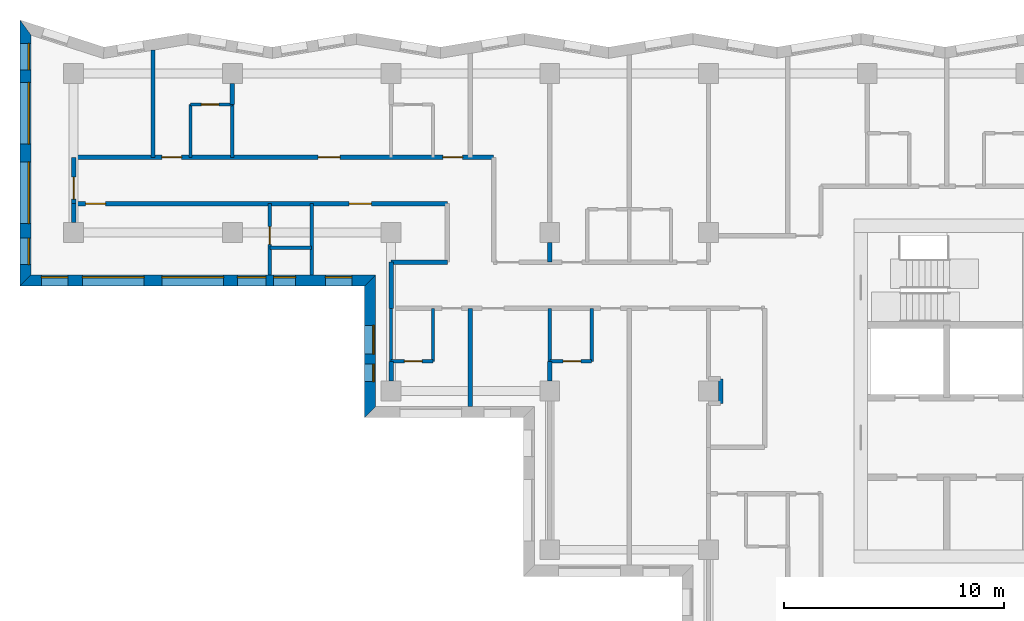
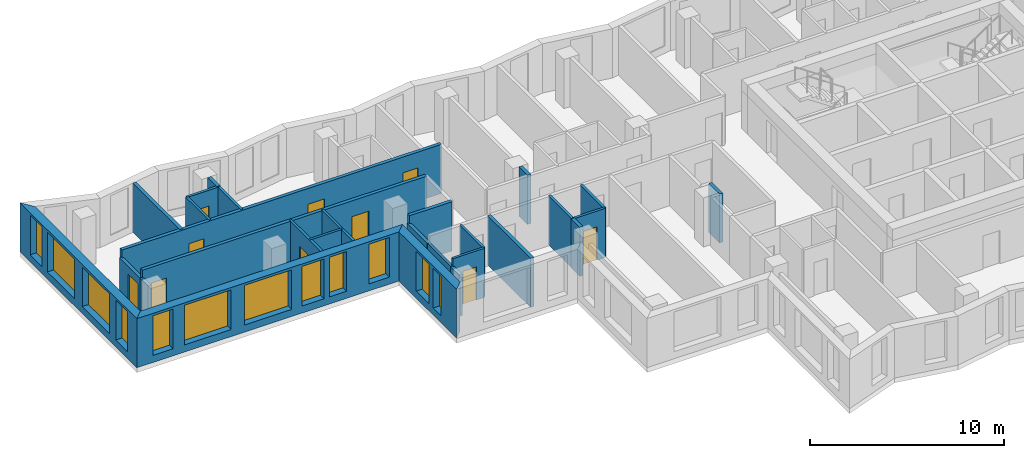
# One storey, part 4 of 13: 28 walls, 12 windows, 10 doors, 22 openings.
"""IFC4 building model written with IfcOpenShell, lengths in metres."""

from ifc_helpers import new_model, si_unit, direction, frame, frame_2d, origin, place, context, subcontext, project, spatial, polyline, rectangle, outline, extrude, material, layer, layer_set, type_object, element, fill, save


model = new_model("IFC4")

# Units and contexts
model_context = context("Model", 3, precision=1e-05, world=origin(), true_north=direction((0.0, 1.0)))
body_context = subcontext(model_context, "Body", "Model", "MODEL_VIEW")
ifc_project = project(units=[si_unit("LENGTHUNIT", "METRE"), si_unit("AREAUNIT", "SQUARE_METRE"), si_unit("VOLUMEUNIT", "CUBIC_METRE"), si_unit("PLANEANGLEUNIT", "RADIAN"), si_unit("MASSUNIT", "GRAM", prefix="KILO")], contexts=[model_context])

# Site, building, storey
site_placement = place(None, origin())
site = spatial("IfcSite", under=ifc_project, at=site_placement, CompositionType="ELEMENT")
building_placement = place(site_placement, origin())
building = spatial("IfcBuilding", under=site, at=building_placement, Name="Windrow Commons", CompositionType="ELEMENT")
storey_placement = place(building_placement, frame((0.0, 0.0, 172.8)))
storey = spatial("IfcBuildingStorey", under=building, at=storey_placement, Name="L47", CompositionType="ELEMENT", Elevation=172.8)

# Wall, openings, windows
ifc_material_1 = material(Name="Brick masonry, red clay brick", Category="masonry")
ifc_layer_1 = layer(ifc_material_1, 0.5)
ifc_layer_set_1 = layer_set([ifc_layer_1], Name="Brick facade wall 500")
wall_type_1 = type_object("IfcWallType", Name="Brick facade wall 500", PredefinedType="SOLIDWALL", material=ifc_layer_set_1)
wall_1_placement = place(storey_placement, frame((19.417, 74.0895, 0.0), z_axis=(0.0, 0.0, 1.0), x_axis=(0.0, -1.0, 0.0)))
wall_1 = element("IfcWall", 1, at=wall_1_placement, inside=storey, type_object=wall_type_1, Name="Brick facade wall L47 35", PredefinedType="SOLIDWALL", context=body_context, shape_type="SweptSolid", body=[
    extrude(outline(polyline([(-0.3435, -0.25), (11.7225, -0.25), (11.2225, 0.25), (0.3435, 0.25), (-0.3435, -0.25)])), origin(), (0.0, 0.0, 1.0), 3.1),
])
opening_1_placement = place(wall_1_placement, frame((2.4895, 0.0, 0.45)))
opening_1 = element("IfcOpeningElement", 2, at=opening_1_placement, cuts=wall_1, Name="Opening W1U", PredefinedType="OPENING", context=body_context, shape_type="SweptSolid", body=[
    extrude(rectangle(XDim=2.8, YDim=2.5, at=frame_2d((1.4, 1.25))), frame((0.0, 0.26, 0.0), z_axis=(0.0, -1.0, 0.0), x_axis=(1.0, 0.0, 0.0)), (0.0, 0.0, 1.0), 0.52),
])
opening_2_placement = place(wall_1_placement, frame((6.0895, 0.0, 0.45)))
opening_2 = element("IfcOpeningElement", 3, at=opening_2_placement, cuts=wall_1, Name="Opening W1U", PredefinedType="OPENING", context=body_context, shape_type="SweptSolid", body=[
    extrude(rectangle(XDim=2.8, YDim=2.5, at=frame_2d((1.4, 1.25))), frame((0.0, 0.26, 0.0), z_axis=(0.0, -1.0, 0.0), x_axis=(1.0, 0.0, 0.0)), (0.0, 0.0, 1.0), 0.52),
])
opening_3_placement = place(wall_1_placement, frame((0.7165, 0.0, 0.45)))
opening_3 = element("IfcOpeningElement", 4, at=opening_3_placement, cuts=wall_1, Name="Opening W7E", PredefinedType="OPENING", context=body_context, shape_type="SweptSolid", body=[
    extrude(rectangle(XDim=1.2, YDim=2.5, at=frame_2d((0.6, 1.25))), frame((0.0, 0.26, 0.0), z_axis=(0.0, -1.0, 0.0), x_axis=(1.0, 0.0, 0.0)), (0.0, 0.0, 1.0), 0.52),
])
opening_4_placement = place(wall_1_placement, frame((9.556, 0.0, 0.45)))
opening_4 = element("IfcOpeningElement", 5, at=opening_4_placement, cuts=wall_1, Name="Opening W7E", PredefinedType="OPENING", context=body_context, shape_type="SweptSolid", body=[
    extrude(rectangle(XDim=1.2, YDim=2.5, at=frame_2d((0.6, 1.25))), frame((0.0, 0.26, 0.0), z_axis=(0.0, -1.0, 0.0), x_axis=(1.0, 0.0, 0.0)), (0.0, 0.0, 1.0), 0.52),
])
ifc_material_2 = material(Name="Clear float glass in anodised aluminium frame", Category="aluminium")
window_type_1 = type_object("IfcWindowType", Name="Window W1U bedroom 2800x2500", PartitioningType="SINGLE_PANEL", PredefinedType="WINDOW", material=ifc_material_2)
window_1_placement = place(opening_1_placement, origin())
window_1 = element("IfcWindow", 6, at=window_1_placement, inside=storey, type_object=window_type_1, Name="Window L47 35.1", OverallHeight=2.5, OverallWidth=2.8, PartitioningType="SINGLE_PANEL", PredefinedType="WINDOW", context=body_context, shape_type="SweptSolid", body=[
    extrude(rectangle(XDim=2.8, YDim=2.5, at=frame_2d((1.4, 1.25))), frame((0.0, 0.18, 0.0), z_axis=(0.0, -1.0, 0.0), x_axis=(1.0, 0.0, 0.0)), (0.0, 0.0, 1.0), 0.06),
])
fill(opening_1, window_1)
window_2_placement = place(opening_2_placement, origin())
window_2 = element("IfcWindow", 7, at=window_2_placement, inside=storey, type_object=window_type_1, Name="Window L47 35.2", OverallHeight=2.5, OverallWidth=2.8, PartitioningType="SINGLE_PANEL", PredefinedType="WINDOW", context=body_context, shape_type="SweptSolid", body=[
    extrude(rectangle(XDim=2.8, YDim=2.5, at=frame_2d((1.4, 1.25))), frame((0.0, 0.18, 0.0), z_axis=(0.0, -1.0, 0.0), x_axis=(1.0, 0.0, 0.0)), (0.0, 0.0, 1.0), 0.06),
])
fill(opening_2, window_2)
ifc_material_3 = material(Name="Clear float glass in anodised aluminium frame", Category="aluminium")
window_type_2 = type_object("IfcWindowType", Name="Window W7 notch 1200x2500", PartitioningType="SINGLE_PANEL", PredefinedType="WINDOW", material=ifc_material_3)
window_3_placement = place(opening_3_placement, origin())
window_3 = element("IfcWindow", 8, at=window_3_placement, inside=storey, type_object=window_type_2, Name="Window L47 35.3", OverallHeight=2.5, OverallWidth=1.2, PartitioningType="SINGLE_PANEL", PredefinedType="WINDOW", context=body_context, shape_type="SweptSolid", body=[
    extrude(rectangle(XDim=1.2, YDim=2.5, at=frame_2d((0.6, 1.25))), frame((0.0, 0.18, 0.0), z_axis=(0.0, -1.0, 0.0), x_axis=(1.0, 0.0, 0.0)), (0.0, 0.0, 1.0), 0.06),
])
fill(opening_3, window_3)
window_4_placement = place(opening_4_placement, origin())
window_4 = element("IfcWindow", 9, at=window_4_placement, inside=storey, type_object=window_type_2, Name="Window L47 35.4", OverallHeight=2.5, OverallWidth=1.2, PartitioningType="SINGLE_PANEL", PredefinedType="WINDOW", context=body_context, shape_type="SweptSolid", body=[
    extrude(rectangle(XDim=1.2, YDim=2.5, at=frame_2d((0.6, 1.25))), frame((0.0, 0.18, 0.0), z_axis=(0.0, -1.0, 0.0), x_axis=(1.0, 0.0, 0.0)), (0.0, 0.0, 1.0), 0.06),
])
fill(opening_4, window_4)

wall_2_placement = place(storey_placement, frame((19.417, 62.617, 0.0), z_axis=(0.0, 0.0, 1.0), x_axis=(1.0, 0.0, 0.0)))
wall_2 = element("IfcWall", 10, at=wall_2_placement, inside=storey, type_object=wall_type_1, Name="Brick facade wall L47 36", PredefinedType="SOLIDWALL", context=body_context, shape_type="SweptSolid", body=[
    extrude(outline(polyline([(-0.25, -0.25), (15.383, -0.25), (15.883, 0.25), (0.25, 0.25), (-0.25, -0.25)])), origin(), (0.0, 0.0, 1.0), 3.1),
])
opening_5_placement = place(wall_2_placement, frame((2.583, 0.0, 0.45)))
opening_5 = element("IfcOpeningElement", 11, at=opening_5_placement, cuts=wall_2, Name="Opening W1U", PredefinedType="OPENING", context=body_context, shape_type="SweptSolid", body=[
    extrude(rectangle(XDim=2.8, YDim=2.5, at=frame_2d((1.4, 1.25))), frame((0.0, 0.26, 0.0), z_axis=(0.0, -1.0, 0.0), x_axis=(1.0, 0.0, 0.0)), (0.0, 0.0, 1.0), 0.52),
])
opening_6_placement = place(wall_2_placement, frame((6.183, 0.0, 0.45)))
opening_6 = element("IfcOpeningElement", 12, at=opening_6_placement, cuts=wall_2, Name="Opening W1U", PredefinedType="OPENING", context=body_context, shape_type="SweptSolid", body=[
    extrude(rectangle(XDim=2.8, YDim=2.5, at=frame_2d((1.4, 1.25))), frame((0.0, 0.26, 0.0), z_axis=(0.0, -1.0, 0.0), x_axis=(1.0, 0.0, 0.0)), (0.0, 0.0, 1.0), 0.52),
])
opening_7_placement = place(wall_2_placement, frame((0.7165, 0.0, 0.45)))
opening_7 = element("IfcOpeningElement", 13, at=opening_7_placement, cuts=wall_2, Name="Opening W7E", PredefinedType="OPENING", context=body_context, shape_type="SweptSolid", body=[
    extrude(rectangle(XDim=1.2, YDim=2.5, at=frame_2d((0.6, 1.25))), frame((0.0, 0.26, 0.0), z_axis=(0.0, -1.0, 0.0), x_axis=(1.0, 0.0, 0.0)), (0.0, 0.0, 1.0), 0.52),
])
opening_8_placement = place(wall_2_placement, frame((13.608, 0.0, 0.45)))
opening_8 = element("IfcOpeningElement", 14, at=opening_8_placement, cuts=wall_2, Name="Opening W7E", PredefinedType="OPENING", context=body_context, shape_type="SweptSolid", body=[
    extrude(rectangle(XDim=1.2, YDim=2.5, at=frame_2d((0.6, 1.25))), frame((0.0, 0.26, 0.0), z_axis=(0.0, -1.0, 0.0), x_axis=(1.0, 0.0, 0.0)), (0.0, 0.0, 1.0), 0.52),
])
opening_9_placement = place(wall_2_placement, frame((9.608, 0.0, 0.45)))
opening_9 = element("IfcOpeningElement", 15, at=opening_9_placement, cuts=wall_2, Name="Opening W1Q", PredefinedType="OPENING", context=body_context, shape_type="SweptSolid", body=[
    extrude(rectangle(XDim=1.3, YDim=2.5, at=frame_2d((0.65, 1.25))), frame((0.0, 0.26, 0.0), z_axis=(0.0, -1.0, 0.0), x_axis=(1.0, 0.0, 0.0)), (0.0, 0.0, 1.0), 0.52),
])
opening_10_placement = place(wall_2_placement, frame((11.258, 0.0, 0.45)))
opening_10 = element("IfcOpeningElement", 16, at=opening_10_placement, cuts=wall_2, Name="Opening W1S", PredefinedType="OPENING", context=body_context, shape_type="SweptSolid", body=[
    extrude(rectangle(XDim=1.0, YDim=2.5, at=frame_2d((0.5, 1.25))), frame((0.0, 0.26, 0.0), z_axis=(0.0, -1.0, 0.0), x_axis=(1.0, 0.0, 0.0)), (0.0, 0.0, 1.0), 0.52),
])
ifc_material_4 = material(Name="Clear float glass in anodised aluminium frame", Category="aluminium")
window_type_3 = type_object("IfcWindowType", Name="Window W1Q pair 1300x2500", PartitioningType="SINGLE_PANEL", PredefinedType="WINDOW", material=ifc_material_4)
window_5_placement = place(opening_9_placement, origin())
window_5 = element("IfcWindow", 17, at=window_5_placement, inside=storey, type_object=window_type_3, Name="Window L47 36.3A", OverallHeight=2.5, OverallWidth=1.3, PartitioningType="SINGLE_PANEL", PredefinedType="WINDOW", context=body_context, shape_type="SweptSolid", body=[
    extrude(rectangle(XDim=1.3, YDim=2.5, at=frame_2d((0.65, 1.25))), frame((0.0, 0.18, 0.0), z_axis=(0.0, -1.0, 0.0), x_axis=(1.0, 0.0, 0.0)), (0.0, 0.0, 1.0), 0.06),
])
fill(opening_9, window_5)
ifc_material_5 = material(Name="Clear float glass in anodised aluminium frame", Category="aluminium")
window_type_4 = type_object("IfcWindowType", Name="Window W1S slit 1000x2500", PartitioningType="SINGLE_PANEL", PredefinedType="WINDOW", material=ifc_material_5)
window_6_placement = place(opening_10_placement, origin())
window_6 = element("IfcWindow", 18, at=window_6_placement, inside=storey, type_object=window_type_4, Name="Window L47 36.3B", OverallHeight=2.5, OverallWidth=1.0, PartitioningType="SINGLE_PANEL", PredefinedType="WINDOW", context=body_context, shape_type="SweptSolid", body=[
    extrude(rectangle(XDim=1.0, YDim=2.5, at=frame_2d((0.5, 1.25))), frame((0.0, 0.18, 0.0), z_axis=(0.0, -1.0, 0.0), x_axis=(1.0, 0.0, 0.0)), (0.0, 0.0, 1.0), 0.06),
])
fill(opening_10, window_6)
window_7_placement = place(opening_5_placement, origin())
window_7 = element("IfcWindow", 19, at=window_7_placement, inside=storey, type_object=window_type_1, Name="Window L47 36.1", OverallHeight=2.5, OverallWidth=2.8, PartitioningType="SINGLE_PANEL", PredefinedType="WINDOW", context=body_context, shape_type="SweptSolid", body=[
    extrude(rectangle(XDim=2.8, YDim=2.5, at=frame_2d((1.4, 1.25))), frame((0.0, 0.18, 0.0), z_axis=(0.0, -1.0, 0.0), x_axis=(1.0, 0.0, 0.0)), (0.0, 0.0, 1.0), 0.06),
])
fill(opening_5, window_7)
window_8_placement = place(opening_6_placement, origin())
window_8 = element("IfcWindow", 20, at=window_8_placement, inside=storey, type_object=window_type_1, Name="Window L47 36.2", OverallHeight=2.5, OverallWidth=2.8, PartitioningType="SINGLE_PANEL", PredefinedType="WINDOW", context=body_context, shape_type="SweptSolid", body=[
    extrude(rectangle(XDim=2.8, YDim=2.5, at=frame_2d((1.4, 1.25))), frame((0.0, 0.18, 0.0), z_axis=(0.0, -1.0, 0.0), x_axis=(1.0, 0.0, 0.0)), (0.0, 0.0, 1.0), 0.06),
])
fill(opening_6, window_8)
window_9_placement = place(opening_7_placement, origin())
window_9 = element("IfcWindow", 21, at=window_9_placement, inside=storey, type_object=window_type_2, Name="Window L47 36.4", OverallHeight=2.5, OverallWidth=1.2, PartitioningType="SINGLE_PANEL", PredefinedType="WINDOW", context=body_context, shape_type="SweptSolid", body=[
    extrude(rectangle(XDim=1.2, YDim=2.5, at=frame_2d((0.6, 1.25))), frame((0.0, 0.18, 0.0), z_axis=(0.0, -1.0, 0.0), x_axis=(1.0, 0.0, 0.0)), (0.0, 0.0, 1.0), 0.06),
])
fill(opening_7, window_9)
window_10_placement = place(opening_8_placement, origin())
window_10 = element("IfcWindow", 22, at=window_10_placement, inside=storey, type_object=window_type_2, Name="Window L47 36.5", OverallHeight=2.5, OverallWidth=1.2, PartitioningType="SINGLE_PANEL", PredefinedType="WINDOW", context=body_context, shape_type="SweptSolid", body=[
    extrude(rectangle(XDim=1.2, YDim=2.5, at=frame_2d((0.6, 1.25))), frame((0.0, 0.18, 0.0), z_axis=(0.0, -1.0, 0.0), x_axis=(1.0, 0.0, 0.0)), (0.0, 0.0, 1.0), 0.06),
])
fill(opening_8, window_10)

wall_3_placement = place(storey_placement, frame((35.05, 62.617, 0.0), z_axis=(0.0, 0.0, 1.0), x_axis=(0.0, -1.0, 0.0)))
wall_3 = element("IfcWall", 23, at=wall_3_placement, inside=storey, type_object=wall_type_1, Name="Brick facade wall L47 37", PredefinedType="SOLIDWALL", context=body_context, shape_type="SweptSolid", body=[
    extrude(outline(polyline([(0.25, -0.25), (6.217, -0.25), (5.717, 0.25), (-0.25, 0.25), (0.25, -0.25)])), origin(), (0.0, 0.0, 1.0), 3.1),
])
opening_11_placement = place(wall_3_placement, frame((2.042, 0.0, 0.45)))
opening_11 = element("IfcOpeningElement", 24, at=opening_11_placement, cuts=wall_3, Name="Opening W1Q", PredefinedType="OPENING", context=body_context, shape_type="SweptSolid", body=[
    extrude(rectangle(XDim=1.3, YDim=2.5, at=frame_2d((0.65, 1.25))), frame((0.0, 0.26, 0.0), z_axis=(0.0, -1.0, 0.0), x_axis=(1.0, 0.0, 0.0)), (0.0, 0.0, 1.0), 0.52),
])
opening_12_placement = place(wall_3_placement, frame((3.792, 0.0, 0.45)))
opening_12 = element("IfcOpeningElement", 25, at=opening_12_placement, cuts=wall_3, Name="Opening W1N", PredefinedType="OPENING", context=body_context, shape_type="SweptSolid", body=[
    extrude(rectangle(XDim=0.8, YDim=2.5, at=frame_2d((0.4, 1.25))), frame((0.0, 0.26, 0.0), z_axis=(0.0, -1.0, 0.0), x_axis=(1.0, 0.0, 0.0)), (0.0, 0.0, 1.0), 0.52),
])
ifc_material_6 = material(Name="Clear float glass in anodised aluminium frame", Category="aluminium")
window_type_5 = type_object("IfcWindowType", Name="Window W1N slit 800x2500", PartitioningType="SINGLE_PANEL", PredefinedType="WINDOW", material=ifc_material_6)
window_11_placement = place(opening_12_placement, origin())
window_11 = element("IfcWindow", 26, at=window_11_placement, inside=storey, type_object=window_type_5, Name="Window L47 37.1B", OverallHeight=2.5, OverallWidth=0.8, PartitioningType="SINGLE_PANEL", PredefinedType="WINDOW", context=body_context, shape_type="SweptSolid", body=[
    extrude(rectangle(XDim=0.8, YDim=2.5, at=frame_2d((0.4, 1.25))), frame((0.0, 0.18, 0.0), z_axis=(0.0, -1.0, 0.0), x_axis=(1.0, 0.0, 0.0)), (0.0, 0.0, 1.0), 0.06),
])
fill(opening_12, window_11)
window_12_placement = place(opening_11_placement, origin())
window_12 = element("IfcWindow", 27, at=window_12_placement, inside=storey, type_object=window_type_3, Name="Window L47 37.1A", OverallHeight=2.5, OverallWidth=1.3, PartitioningType="SINGLE_PANEL", PredefinedType="WINDOW", context=body_context, shape_type="SweptSolid", body=[
    extrude(rectangle(XDim=1.3, YDim=2.5, at=frame_2d((0.65, 1.25))), frame((0.0, 0.18, 0.0), z_axis=(0.0, -1.0, 0.0), x_axis=(1.0, 0.0, 0.0)), (0.0, 0.0, 1.0), 0.06),
])
fill(opening_11, window_12)

# Wall, openings, doors
ifc_material_7 = material(Name="Blockwork partition", Category="masonry")
ifc_layer_2 = layer(ifc_material_7, 0.2)
ifc_layer_set_2 = layer_set([ifc_layer_2], Name="IW-CORRIDOR-200")
wall_type_2 = type_object("IfcWallType", Name="IW-CORRIDOR-200", PredefinedType="PARTITIONING", material=ifc_layer_set_2)
wall_4_placement = place(storey_placement, frame((21.602, 68.2, 0.0), z_axis=(0.0, 0.0, 1.0), x_axis=(1.0, 0.0, 0.0)))
wall_4 = element("IfcWall", 28, at=wall_4_placement, inside=storey, type_object=wall_type_2, Name="W-L47-W000", PredefinedType="PARTITIONING", context=body_context, shape_type="SweptSolid", body=[
    extrude(rectangle(XDim=19.048, YDim=0.2, at=frame_2d((9.524, 0.0))), origin(), (0.0, 0.0, 1.0), 3.1),
])
opening_13_placement = place(wall_4_placement, frame((3.998, 0.0, 0.0)))
opening_13 = element("IfcOpeningElement", 29, at=opening_13_placement, cuts=wall_4, Name="Opening D109S", PredefinedType="OPENING", context=body_context, shape_type="SweptSolid", body=[
    extrude(rectangle(XDim=0.9, YDim=2.1, at=frame_2d((0.45, 1.05))), frame((0.0, 0.11, 0.0), z_axis=(0.0, -1.0, 0.0), x_axis=(1.0, 0.0, 0.0)), (0.0, 0.0, 1.0), 0.22),
])
opening_14_placement = place(wall_4_placement, frame((11.0842, 0.0, 0.0)))
opening_14 = element("IfcOpeningElement", 30, at=opening_14_placement, cuts=wall_4, Name="Opening D310F", PredefinedType="OPENING", context=body_context, shape_type="SweptSolid", body=[
    extrude(rectangle(XDim=1.0, YDim=2.1, at=frame_2d((0.5, 1.05))), frame((0.0, 0.11, 0.0), z_axis=(0.0, -1.0, 0.0), x_axis=(1.0, 0.0, 0.0)), (0.0, 0.0, 1.0), 0.22),
])
opening_15_placement = place(wall_4_placement, frame((16.748, 0.0, 0.0)))
opening_15 = element("IfcOpeningElement", 31, at=opening_15_placement, cuts=wall_4, Name="Opening D109S", PredefinedType="OPENING", context=body_context, shape_type="SweptSolid", body=[
    extrude(rectangle(XDim=0.9, YDim=2.1, at=frame_2d((0.45, 1.05))), frame((0.0, 0.11, 0.0), z_axis=(0.0, -1.0, 0.0), x_axis=(1.0, 0.0, 0.0)), (0.0, 0.0, 1.0), 0.22),
])
ifc_material_8 = material(Name="Timber door leaf", Category="wood")
door_type_1 = type_object("IfcDoorType", Name="DT-AMENITY-1000", OperationType="SINGLE_SWING_LEFT", PredefinedType="DOOR", material=ifc_material_8)
door_1_placement = place(opening_14_placement, origin())
door_1 = element("IfcDoor", 32, at=door_1_placement, inside=storey, type_object=door_type_1, Name="D-L47-D007", OperationType="SINGLE_SWING_RIGHT", OverallHeight=2.1, OverallWidth=1.0, PredefinedType="DOOR", context=body_context, shape_type="SweptSolid", body=[
    extrude(rectangle(XDim=1.0, YDim=2.1, at=frame_2d((0.5, 1.05))), frame((0.0, 0.025, 0.0), z_axis=(0.0, -1.0, 0.0), x_axis=(1.0, 0.0, 0.0)), (0.0, 0.0, 1.0), 0.05),
])
fill(opening_14, door_1)
ifc_material_9 = material(Name="Timber door leaf", Category="wood")
door_type_2 = type_object("IfcDoorType", Name="DT-BEDROOM-900", OperationType="SINGLE_SWING_LEFT", PredefinedType="DOOR", material=ifc_material_9)
door_2_placement = place(opening_13_placement, origin())
door_2 = element("IfcDoor", 33, at=door_2_placement, inside=storey, type_object=door_type_2, Name="D-L47-D005", OperationType="SINGLE_SWING_LEFT", OverallHeight=2.1, OverallWidth=0.9, PredefinedType="DOOR", context=body_context, shape_type="SweptSolid", body=[
    extrude(rectangle(XDim=0.9, YDim=2.1, at=frame_2d((0.45, 1.05))), frame((0.0, 0.025, 0.0), z_axis=(0.0, -1.0, 0.0), x_axis=(1.0, 0.0, 0.0)), (0.0, 0.0, 1.0), 0.05),
])
fill(opening_13, door_2)
door_3_placement = place(opening_15_placement, origin())
door_3 = element("IfcDoor", 34, at=door_3_placement, inside=storey, type_object=door_type_2, Name="D-L47-D008", OperationType="SINGLE_SWING_RIGHT", OverallHeight=2.1, OverallWidth=0.9, PredefinedType="DOOR", context=body_context, shape_type="SweptSolid", body=[
    extrude(rectangle(XDim=0.9, YDim=2.1, at=frame_2d((0.45, 1.05))), frame((0.0, 0.025, 0.0), z_axis=(0.0, -1.0, 0.0), x_axis=(1.0, 0.0, 0.0)), (0.0, 0.0, 1.0), 0.05),
])
fill(opening_15, door_3)

wall_5_placement = place(storey_placement, frame((21.6, 66.1, 0.0), z_axis=(0.0, 0.0, 1.0), x_axis=(1.0, 0.0, 0.0)))
wall_5 = element("IfcWall", 35, at=wall_5_placement, inside=storey, type_object=wall_type_2, Name="W-L47-W004", PredefinedType="PARTITIONING", context=body_context, shape_type="SweptSolid", body=[
    extrude(rectangle(XDim=16.95, YDim=0.2, at=frame_2d((8.475, 0.0))), origin(), (0.0, 0.0, 1.0), 3.1),
])
opening_16_placement = place(wall_5_placement, frame((0.5458, 0.0, 0.0)))
opening_16 = element("IfcOpeningElement", 36, at=opening_16_placement, cuts=wall_5, Name="Opening D109S", PredefinedType="OPENING", context=body_context, shape_type="SweptSolid", body=[
    extrude(rectangle(XDim=0.9, YDim=2.1, at=frame_2d((0.45, 1.05))), frame((0.0, 0.11, 0.0), z_axis=(0.0, -1.0, 0.0), x_axis=(1.0, 0.0, 0.0)), (0.0, 0.0, 1.0), 0.22),
])
opening_17_placement = place(wall_5_placement, frame((12.5016, 0.0, 0.0)))
opening_17 = element("IfcOpeningElement", 37, at=opening_17_placement, cuts=wall_5, Name="Opening D310F", PredefinedType="OPENING", context=body_context, shape_type="SweptSolid", body=[
    extrude(rectangle(XDim=1.0, YDim=2.1, at=frame_2d((0.5, 1.05))), frame((0.0, 0.11, 0.0), z_axis=(0.0, -1.0, 0.0), x_axis=(1.0, 0.0, 0.0)), (0.0, 0.0, 1.0), 0.22),
])
door_4_placement = place(opening_17_placement, origin())
door_4 = element("IfcDoor", 38, at=door_4_placement, inside=storey, type_object=door_type_1, Name="D-L47-D010", OperationType="SINGLE_SWING_RIGHT", OverallHeight=2.1, OverallWidth=1.0, PredefinedType="DOOR", context=body_context, shape_type="SweptSolid", body=[
    extrude(rectangle(XDim=1.0, YDim=2.1, at=frame_2d((0.5, 1.05))), frame((0.0, 0.025, 0.0), z_axis=(0.0, -1.0, 0.0), x_axis=(1.0, 0.0, 0.0)), (0.0, 0.0, 1.0), 0.05),
])
fill(opening_17, door_4)
door_5_placement = place(opening_16_placement, origin())
door_5 = element("IfcDoor", 39, at=door_5_placement, inside=storey, type_object=door_type_2, Name="D-L47-D003", OperationType="SINGLE_SWING_LEFT", OverallHeight=2.1, OverallWidth=0.9, PredefinedType="DOOR", context=body_context, shape_type="SweptSolid", body=[
    extrude(rectangle(XDim=0.9, YDim=2.1, at=frame_2d((0.45, 1.05))), frame((0.0, 0.025, 0.0), z_axis=(0.0, -1.0, 0.0), x_axis=(1.0, 0.0, 0.0)), (0.0, 0.0, 1.0), 0.05),
])
fill(opening_16, door_5)

# Walls
wall_6_placement = place(storey_placement, frame((36.002, 63.45, 0.0), z_axis=(0.0, 0.0, 1.0), x_axis=(1.0, 0.0, 0.0)))
element("IfcWall", 40, at=wall_6_placement, inside=storey, type_object=wall_type_2, Name="W-L47-W066", PredefinedType="PARTITIONING", context=body_context, shape_type="SweptSolid", body=[
    extrude(rectangle(XDim=2.548, YDim=0.2, at=frame_2d((1.274, 0.0))), origin(), (0.0, 0.0, 1.0), 3.1),
])
wall_7_placement = place(storey_placement, frame((36.0, 61.35, 0.0), z_axis=(0.0, 0.0, 1.0), x_axis=(0.0, 1.0, 0.0)))
element("IfcWall", 41, at=wall_7_placement, inside=storey, type_object=wall_type_2, Name="W-L47-W110", PredefinedType="PARTITIONING", context=body_context, shape_type="SweptSolid", body=[
    extrude(rectangle(XDim=2.1, YDim=0.2, at=frame_2d((1.05, 0.0))), origin(), (0.0, 0.0, 1.0), 2.6),
])

# Wall, opening, door
wall_8_placement = place(storey_placement, frame((21.6, 66.1, 0.0), z_axis=(0.0, 0.0, 1.0), x_axis=(0.0, 1.0, 0.0)))
wall_8 = element("IfcWall", 42, at=wall_8_placement, inside=storey, type_object=wall_type_2, Name="W-L47-W114", PredefinedType="PARTITIONING", context=body_context, shape_type="SweptSolid", body=[
    extrude(rectangle(XDim=2.098, YDim=0.2, at=frame_2d((1.049, 0.0))), origin(), (0.0, 0.0, 1.0), 2.6),
])
opening_18_placement = place(wall_8_placement, frame((0.2057, 0.0, 0.0)))
opening_18 = element("IfcOpeningElement", 43, at=opening_18_placement, cuts=wall_8, Name="Opening D310F", PredefinedType="OPENING", context=body_context, shape_type="SweptSolid", body=[
    extrude(rectangle(XDim=1.0, YDim=2.1, at=frame_2d((0.5, 1.05))), frame((0.0, 0.11, 0.0), z_axis=(0.0, -1.0, 0.0), x_axis=(1.0, 0.0, 0.0)), (0.0, 0.0, 1.0), 0.22),
])
door_6_placement = place(opening_18_placement, origin())
door_6 = element("IfcDoor", 44, at=door_6_placement, inside=storey, type_object=door_type_1, Name="D-L47-D002", OperationType="SINGLE_SWING_RIGHT", OverallHeight=2.1, OverallWidth=1.0, PredefinedType="DOOR", context=body_context, shape_type="SweptSolid", body=[
    extrude(rectangle(XDim=1.0, YDim=2.1, at=frame_2d((0.5, 1.05))), frame((0.0, 0.025, 0.0), z_axis=(0.0, -1.0, 0.0), x_axis=(1.0, 0.0, 0.0)), (0.0, 0.0, 1.0), 0.05),
])
fill(opening_18, door_6)

# Wall
ifc_material_10 = material(Name="Blockwork partition", Category="masonry")
ifc_layer_3 = layer(ifc_material_10, 0.15)
ifc_layer_set_3 = layer_set([ifc_layer_3], Name="IW-ENSUITE-150")
wall_type_3 = type_object("IfcWallType", Name="IW-ENSUITE-150", PredefinedType="PARTITIONING", material=ifc_layer_set_3)
wall_9_placement = place(storey_placement, frame((32.4, 62.867, 0.0), z_axis=(0.0, 0.0, 1.0), x_axis=(0.0, 1.0, 0.0)))
element("IfcWall", 45, at=wall_9_placement, inside=storey, type_object=wall_type_3, Name="W-L47-W060", PredefinedType="PARTITIONING", context=body_context, shape_type="SweptSolid", body=[
    extrude(rectangle(XDim=3.233, YDim=0.15, at=frame_2d((1.6165, 0.0))), origin(), (0.0, 0.0, 1.0), 3.1),
])

# Wall, opening, door
wall_10_placement = place(storey_placement, frame((30.5, 62.867, 0.0), z_axis=(0.0, 0.0, 1.0), x_axis=(0.0, 1.0, 0.0)))
wall_10 = element("IfcWall", 46, at=wall_10_placement, inside=storey, type_object=wall_type_3, Name="W-L47-W061", PredefinedType="PARTITIONING", context=body_context, shape_type="SweptSolid", body=[
    extrude(rectangle(XDim=3.233, YDim=0.15, at=frame_2d((1.6165, 0.0))), origin(), (0.0, 0.0, 1.0), 3.1),
])
opening_19_placement = place(wall_10_placement, frame((1.389, 0.0, 0.0)))
opening_19 = element("IfcOpeningElement", 47, at=opening_19_placement, cuts=wall_10, Name="Opening D208N", PredefinedType="OPENING", context=body_context, shape_type="SweptSolid", body=[
    extrude(rectangle(XDim=0.8, YDim=2.1, at=frame_2d((0.4, 1.05))), frame((0.0, 0.085, 0.0), z_axis=(0.0, -1.0, 0.0), x_axis=(1.0, 0.0, 0.0)), (0.0, 0.0, 1.0), 0.17),
])
ifc_material_11 = material(Name="Timber door leaf", Category="wood")
door_type_3 = type_object("IfcDoorType", Name="DT-ENSUITE-800", OperationType="SINGLE_SWING_LEFT", PredefinedType="DOOR", material=ifc_material_11)
door_7_placement = place(opening_19_placement, origin())
door_7 = element("IfcDoor", 48, at=door_7_placement, inside=storey, type_object=door_type_3, Name="D-L47-D004", OperationType="SINGLE_SWING_RIGHT", OverallHeight=2.1, OverallWidth=0.8, PredefinedType="DOOR", context=body_context, shape_type="SweptSolid", body=[
    extrude(rectangle(XDim=0.8, YDim=2.1, at=frame_2d((0.4, 1.05))), frame((0.0, 0.025, 0.0), z_axis=(0.0, -1.0, 0.0), x_axis=(1.0, 0.0, 0.0)), (0.0, 0.0, 1.0), 0.05),
])
fill(opening_19, door_7)

# Walls
wall_11_placement = place(storey_placement, frame((37.9, 58.95, 0.0), z_axis=(0.0, 0.0, 1.0), x_axis=(0.0, 1.0, 0.0)))
element("IfcWall", 49, at=wall_11_placement, inside=storey, type_object=wall_type_3, Name="W-L47-W073", PredefinedType="PARTITIONING", context=body_context, shape_type="SweptSolid", body=[
    extrude(rectangle(XDim=2.4, YDim=0.15, at=frame_2d((1.2, 0.0))), origin(), (0.0, 0.0, 1.0), 3.1),
])
wall_12_placement = place(storey_placement, frame((36.0, 58.95, 0.0), z_axis=(0.0, 0.0, 1.0), x_axis=(0.0, 1.0, 0.0)))
element("IfcWall", 50, at=wall_12_placement, inside=storey, type_object=wall_type_3, Name="W-L47-W074", PredefinedType="PARTITIONING", context=body_context, shape_type="SweptSolid", body=[
    extrude(rectangle(XDim=2.4, YDim=0.15, at=frame_2d((1.2, 0.0))), origin(), (0.0, 0.0, 1.0), 2.6),
])
for number, where, z_axis, x_axis, name in (
    (51, (45.1, 58.95, 0.0), (0.0, 0.0, 1.0), (0.0, 1.0, 0.0), "W-L47-W075"),
    (52, (43.2, 58.95, 0.0), (0.0, 0.0, 1.0), (0.0, 1.0, 0.0), "W-L47-W076"),
    (53, (26.9, 68.2, 0.0), (0.0, 0.0, 1.0), (0.0, 1.0, 0.0), "W-L47-W079"),
    (54, (28.8, 68.2, 0.0), (0.0, 0.0, 1.0), (0.0, 1.0, 0.0), "W-L47-W080"),
):
    element("IfcWall", number, at=place(storey_placement, frame(where, z_axis=z_axis, x_axis=x_axis)), inside=storey, type_object=wall_type_3, Name=name, PredefinedType="PARTITIONING", context=body_context, shape_type="SweptSolid", body=[
        extrude(rectangle(XDim=2.4, YDim=0.15, at=frame_2d((1.2, 0.0))), origin(), (0.0, 0.0, 1.0), 3.1),
    ])

# Wall, opening, door
wall_13_placement = place(storey_placement, frame((26.9, 70.6, 0.0), z_axis=(0.0, 0.0, 1.0), x_axis=(1.0, 0.0, 0.0)))
wall_13 = element("IfcWall", 55, at=wall_13_placement, inside=storey, type_object=wall_type_3, Name="W-L47-W118", PredefinedType="PARTITIONING", context=body_context, shape_type="SweptSolid", body=[
    extrude(rectangle(XDim=1.9, YDim=0.15, at=frame_2d((0.95, 0.0))), origin(), (0.0, 0.0, 1.0), 3.1),
])
opening_20_placement = place(wall_13_placement, frame((0.4931, 0.0, 0.0)))
opening_20 = element("IfcOpeningElement", 56, at=opening_20_placement, cuts=wall_13, Name="Opening D208N", PredefinedType="OPENING", context=body_context, shape_type="SweptSolid", body=[
    extrude(rectangle(XDim=0.8, YDim=2.1, at=frame_2d((0.4, 1.05))), frame((0.0, 0.085, 0.0), z_axis=(0.0, -1.0, 0.0), x_axis=(1.0, 0.0, 0.0)), (0.0, 0.0, 1.0), 0.17),
])
door_8_placement = place(opening_20_placement, origin())
door_8 = element("IfcDoor", 57, at=door_8_placement, inside=storey, type_object=door_type_3, Name="D-L47-D006", OperationType="SINGLE_SWING_RIGHT", OverallHeight=2.1, OverallWidth=0.8, PredefinedType="DOOR", context=body_context, shape_type="SweptSolid", body=[
    extrude(rectangle(XDim=0.8, YDim=2.1, at=frame_2d((0.4, 1.05))), frame((0.0, 0.025, 0.0), z_axis=(0.0, -1.0, 0.0), x_axis=(1.0, 0.0, 0.0)), (0.0, 0.0, 1.0), 0.05),
])
fill(opening_20, door_8)

# Wall
wall_14_placement = place(storey_placement, frame((30.5, 64.1, 0.0), z_axis=(0.0, 0.0, 1.0), x_axis=(1.0, 0.0, 0.0)))
element("IfcWall", 58, at=wall_14_placement, inside=storey, type_object=wall_type_3, Name="W-L47-W120", PredefinedType="PARTITIONING", context=body_context, shape_type="SweptSolid", body=[
    extrude(rectangle(XDim=1.9, YDim=0.15, at=frame_2d((0.95, 0.0))), origin(), (0.0, 0.0, 1.0), 3.1),
])

# Wall, opening, door
wall_15_placement = place(storey_placement, frame((36.0, 58.95, 0.0), z_axis=(0.0, 0.0, 1.0), x_axis=(1.0, 0.0, 0.0)))
wall_15 = element("IfcWall", 59, at=wall_15_placement, inside=storey, type_object=wall_type_3, Name="W-L47-W121", PredefinedType="PARTITIONING", context=body_context, shape_type="SweptSolid", body=[
    extrude(rectangle(XDim=1.9, YDim=0.15, at=frame_2d((0.95, 0.0))), origin(), (0.0, 0.0, 1.0), 3.1),
])
opening_21_placement = place(wall_15_placement, frame((0.6069, 0.0, 0.0)))
opening_21 = element("IfcOpeningElement", 60, at=opening_21_placement, cuts=wall_15, Name="Opening D208N", PredefinedType="OPENING", context=body_context, shape_type="SweptSolid", body=[
    extrude(rectangle(XDim=0.8, YDim=2.1, at=frame_2d((0.4, 1.05))), frame((0.0, 0.085, 0.0), z_axis=(0.0, -1.0, 0.0), x_axis=(1.0, 0.0, 0.0)), (0.0, 0.0, 1.0), 0.17),
])
door_9_placement = place(opening_21_placement, origin())
door_9 = element("IfcDoor", 61, at=door_9_placement, inside=storey, type_object=door_type_3, Name="D-L47-D012", OperationType="SINGLE_SWING_RIGHT", OverallHeight=2.1, OverallWidth=0.8, PredefinedType="DOOR", context=body_context, shape_type="SweptSolid", body=[
    extrude(rectangle(XDim=0.8, YDim=2.1, at=frame_2d((0.4, 1.05))), frame((0.0, 0.025, 0.0), z_axis=(0.0, -1.0, 0.0), x_axis=(1.0, 0.0, 0.0)), (0.0, 0.0, 1.0), 0.05),
])
fill(opening_21, door_9)

wall_16_placement = place(storey_placement, frame((43.2, 58.95, 0.0), z_axis=(0.0, 0.0, 1.0), x_axis=(1.0, 0.0, 0.0)))
wall_16 = element("IfcWall", 62, at=wall_16_placement, inside=storey, type_object=wall_type_3, Name="W-L47-W122", PredefinedType="PARTITIONING", context=body_context, shape_type="SweptSolid", body=[
    extrude(rectangle(XDim=1.9, YDim=0.15, at=frame_2d((0.95, 0.0))), origin(), (0.0, 0.0, 1.0), 3.1),
])
opening_22_placement = place(wall_16_placement, frame((0.6069, 0.0, 0.0)))
opening_22 = element("IfcOpeningElement", 63, at=opening_22_placement, cuts=wall_16, Name="Opening D208N", PredefinedType="OPENING", context=body_context, shape_type="SweptSolid", body=[
    extrude(rectangle(XDim=0.8, YDim=2.1, at=frame_2d((0.4, 1.05))), frame((0.0, 0.085, 0.0), z_axis=(0.0, -1.0, 0.0), x_axis=(1.0, 0.0, 0.0)), (0.0, 0.0, 1.0), 0.17),
])
door_10_placement = place(opening_22_placement, origin())
door_10 = element("IfcDoor", 64, at=door_10_placement, inside=storey, type_object=door_type_3, Name="D-L47-D015", OperationType="SINGLE_SWING_RIGHT", OverallHeight=2.1, OverallWidth=0.8, PredefinedType="DOOR", context=body_context, shape_type="SweptSolid", body=[
    extrude(rectangle(XDim=0.8, YDim=2.1, at=frame_2d((0.4, 1.05))), frame((0.0, 0.025, 0.0), z_axis=(0.0, -1.0, 0.0), x_axis=(1.0, 0.0, 0.0)), (0.0, 0.0, 1.0), 0.05),
])
fill(opening_22, door_10)

# Walls
ifc_material_12 = material(Name="Blockwork partition", Category="masonry")
ifc_layer_4 = layer(ifc_material_12, 0.2)
ifc_layer_set_4 = layer_set([ifc_layer_4], Name="IW-PARTY-200")
wall_type_4 = type_object("IfcWallType", Name="IW-PARTY-200", PredefinedType="PARTITIONING", material=ifc_layer_set_4)
wall_17_placement = place(storey_placement, frame((25.2, 68.2, 0.0), z_axis=(0.0, 0.0, 1.0), x_axis=(0.0, 1.0, 0.0)))
element("IfcWall", 65, at=wall_17_placement, inside=storey, type_object=wall_type_4, Name="W-L47-W037", PredefinedType="PARTITIONING", context=body_context, shape_type="SweptSolid", body=[
    extrude(rectangle(XDim=4.8612, YDim=0.2, at=frame_2d((2.4306, 0.0))), origin(), (0.0, 0.0, 1.0), 3.1),
])
wall_18_placement = place(storey_placement, frame((39.6, 56.9, 0.0), z_axis=(0.0, 0.0, 1.0), x_axis=(0.0, 1.0, 0.0)))
element("IfcWall", 66, at=wall_18_placement, inside=storey, type_object=wall_type_4, Name="W-L47-W048", PredefinedType="PARTITIONING", context=body_context, shape_type="SweptSolid", body=[
    extrude(rectangle(XDim=4.45, YDim=0.2, at=frame_2d((2.225, 0.0))), origin(), (0.0, 0.0, 1.0), 3.1),
])
wall_19_placement = place(storey_placement, frame((50.95, 57.044, 0.0), z_axis=(0.0, 0.0, 1.0), x_axis=(0.0, 1.0, 0.0)))
element("IfcWall", 67, at=wall_19_placement, inside=storey, type_object=wall_type_4, Name="W-L47-W130", PredefinedType="PARTITIONING", context=body_context, shape_type="SweptSolid", body=[
    extrude(rectangle(XDim=1.112, YDim=0.2, at=frame_2d((0.556, 0.0))), origin(), (0.0, 0.0, 1.0), 3.1),
])
wall_20_placement = place(storey_placement, frame((28.8, 70.6, 0.0), z_axis=(0.0, 0.0, 1.0), x_axis=(0.0, 1.0, 0.0)))
element("IfcWall", 68, at=wall_20_placement, inside=storey, type_object=wall_type_4, Name="W-L47-W134", PredefinedType="PARTITIONING", context=body_context, shape_type="SweptSolid", body=[
    extrude(rectangle(XDim=0.95, YDim=0.2, at=frame_2d((0.475, 0.0))), origin(), (0.0, 0.0, 1.0), 3.1),
])
wall_21_placement = place(storey_placement, frame((36.0, 58.05, 0.0), z_axis=(0.0, 0.0, 1.0), x_axis=(0.0, 1.0, 0.0)))
element("IfcWall", 69, at=wall_21_placement, inside=storey, type_object=wall_type_4, Name="W-L47-W137", PredefinedType="PARTITIONING", context=body_context, shape_type="SweptSolid", body=[
    extrude(rectangle(XDim=0.9, YDim=0.2, at=frame_2d((0.45, 0.0))), origin(), (0.0, 0.0, 1.0), 2.6),
])
for number, where, z_axis, x_axis, name in (
    (70, (43.2, 58.05, 0.0), (0.0, 0.0, 1.0), (0.0, 1.0, 0.0), "W-L47-W138"),
    (71, (43.2, 63.45, 0.0), (0.0, 0.0, 1.0), (0.0, 1.0, 0.0), "W-L47-W139"),
):
    element("IfcWall", number, at=place(storey_placement, frame(where, z_axis=z_axis, x_axis=x_axis)), inside=storey, type_object=wall_type_4, Name=name, PredefinedType="PARTITIONING", context=body_context, shape_type="SweptSolid", body=[
        extrude(rectangle(XDim=0.9, YDim=0.2, at=frame_2d((0.45, 0.0))), origin(), (0.0, 0.0, 1.0), 3.1),
    ])
wall_22_placement = place(storey_placement, frame((21.6, 65.25, 0.0), z_axis=(0.0, 0.0, 1.0), x_axis=(0.0, 1.0, 0.0)))
element("IfcWall", 72, at=wall_22_placement, inside=storey, type_object=wall_type_4, Name="W-L47-W142", PredefinedType="PARTITIONING", context=body_context, shape_type="SweptSolid", body=[
    extrude(rectangle(XDim=0.85, YDim=0.2, at=frame_2d((0.425, 0.0))), origin(), (0.0, 0.0, 1.0), 2.6),
])

save(model, "model.ifc")
